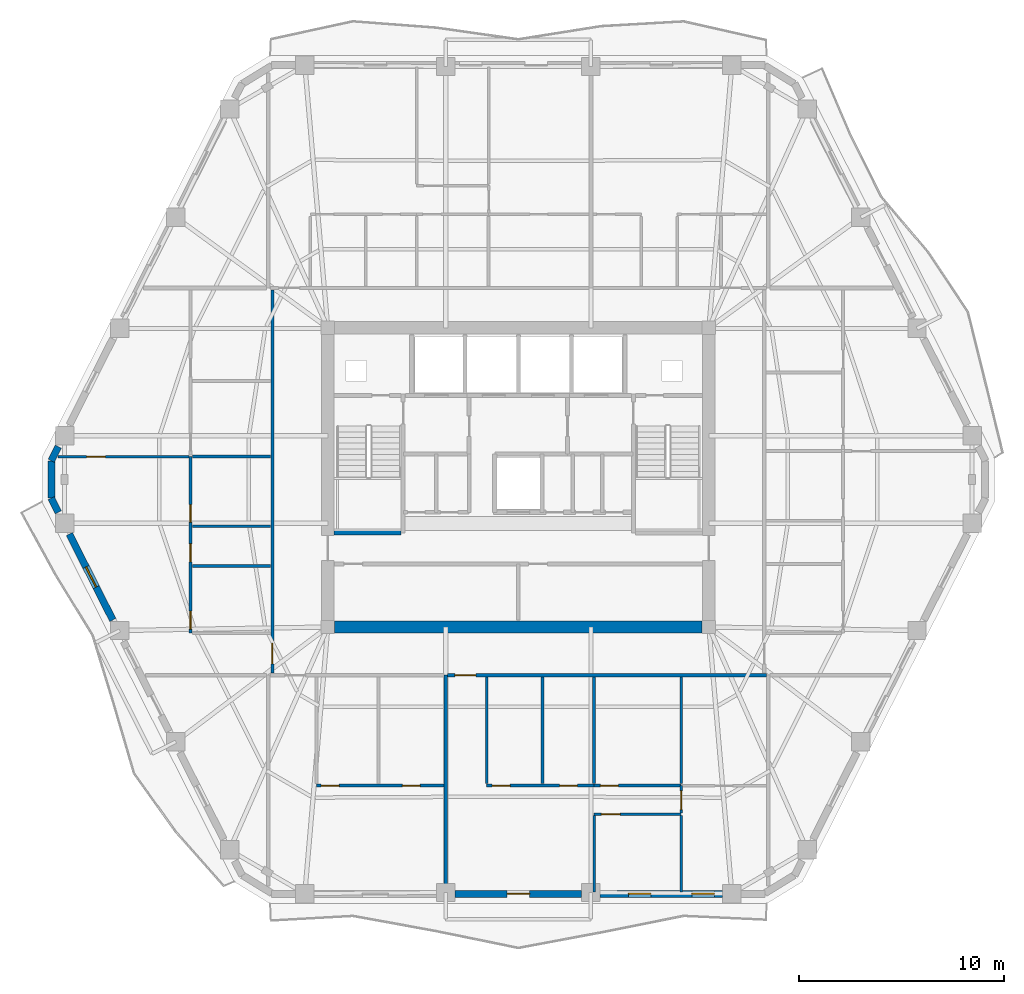
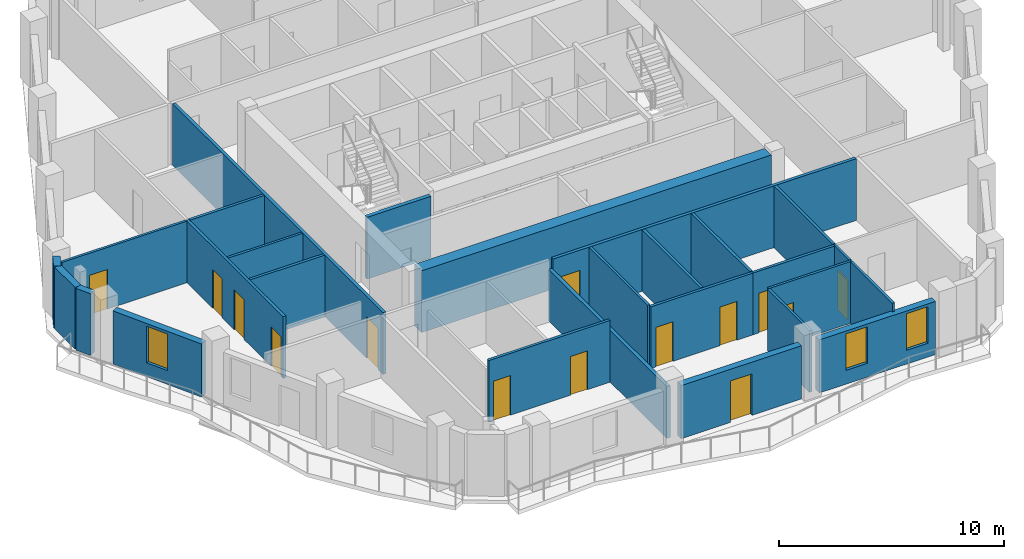
# One storey, part 4 of 11: 27 walls, 14 doors, 3 windows, 17 openings.
"""IFC4 building model written with IfcOpenShell, lengths in metres."""

from ifc_helpers import new_model, si_unit, direction, frame, frame_2d, origin, place, context, subcontext, project, spatial, rectangle, extrude, material, layer, layer_set, type_object, element, fill, save


model = new_model("IFC4")

# Units and contexts
model_context = context("Model", 3, precision=1e-05, world=origin(), true_north=direction((0.0, 1.0)))
body_context = subcontext(model_context, "Body", "Model", "MODEL_VIEW")
ifc_project = project(units=[si_unit("LENGTHUNIT", "METRE"), si_unit("AREAUNIT", "SQUARE_METRE"), si_unit("VOLUMEUNIT", "CUBIC_METRE"), si_unit("PLANEANGLEUNIT", "RADIAN"), si_unit("MASSUNIT", "GRAM", prefix="KILO")], contexts=[model_context])

# Site, building, storey
site_placement = place(None, origin())
site = spatial("IfcSite", under=ifc_project, at=site_placement, CompositionType="ELEMENT")
building_placement = place(site_placement, origin())
building = spatial("IfcBuilding", under=site, at=building_placement, Name="Cinnabar Lancet Tower", CompositionType="ELEMENT")
storey_placement = place(building_placement, frame((0.0, 0.0, 179.0)))
storey = spatial("IfcBuildingStorey", under=building, at=storey_placement, Name="L47", CompositionType="ELEMENT", Elevation=179.0)

# Wall, opening, door
ifc_material_1 = material(Name="Acoustic twin-stud gypsum partition", Category="gypsum")
ifc_layer_1 = layer(ifc_material_1, 0.159912109375)
ifc_layer_set_1 = layer_set([ifc_layer_1], Name="Acoustic twin-stud gypsum partition")
wall_type_1 = type_object("IfcWallType", Name="ARC-WL-CORR-160", PredefinedType="PARTITIONING", material=ifc_layer_set_1)
wall_1_placement = place(storey_placement, frame((28.951904296875, 16.25, 0.0), z_axis=(0.0, 0.0, 1.0), x_axis=(1.0, 0.0, 0.0)))
wall_1 = element("IfcWall", 1, at=wall_1_placement, inside=storey, type_object=wall_type_1, Name="L47 Unit S02 Corridor Wall", PredefinedType="PARTITIONING", context=body_context, shape_type="SweptSolid", body=[
    extrude(rectangle(XDim=15.552978515625, YDim=0.159912109375, at=frame_2d((7.7763671875, 0.0))), origin(), (0.0, 0.0, 1.0), 3.35009765625),
])
opening_1_placement = place(wall_1_placement, frame((0.35498046875, 0.0, 0.0)))
opening_1 = element("IfcOpeningElement", 2, at=opening_1_placement, cuts=wall_1, Name="Opening UD-01", PredefinedType="OPENING", context=body_context, shape_type="SweptSolid", body=[
    extrude(rectangle(XDim=1.02001953125, YDim=2.25, at=frame_2d((0.510009765625, 1.125))), frame((0.0, 0.08984375, 0.0), z_axis=(0.0, -1.0, 0.0), x_axis=(1.0, 0.0, 0.0)), (0.0, 0.0, 1.0), 0.179931640625),
])
ifc_material_2 = material(Name="Solid timber fire-rated apartment entrance door", Category="wood")
door_type_1 = type_object("IfcDoorType", Name="ARC-DR-UNIT", OperationType="NOTDEFINED", PredefinedType="DOOR", material=ifc_material_2)
door_1_placement = place(opening_1_placement, origin())
door_1 = element("IfcDoor", 3, at=door_1_placement, inside=storey, type_object=door_type_1, Name="DR-L47-S02-ENT", OperationType="SINGLE_SWING_LEFT", OverallHeight=2.25, OverallWidth=1.02001953125, PredefinedType="DOOR", context=body_context, shape_type="SweptSolid", body=[
    extrude(rectangle(XDim=1.02001953125, YDim=2.25, at=frame_2d((0.510009765625, 1.125))), frame((0.0, 0.02490234375, 0.0), z_axis=(0.0, -1.0, 0.0), x_axis=(1.0, 0.0, 0.0)), (0.0, 0.0, 1.0), 0.050048828125),
])
fill(opening_1, door_1)

wall_2_placement = place(storey_placement, frame((20.39990234375, 16.344970703125, 0.0), z_axis=(0.0, 0.0, 1.0), x_axis=(0.0, 1.0, 0.0)))
wall_2 = element("IfcWall", 4, at=wall_2_placement, inside=storey, type_object=wall_type_1, Name="UW-L47-W01-COR", PredefinedType="PARTITIONING", context=body_context, shape_type="SweptSolid", body=[
    extrude(rectangle(XDim=18.7099609375, YDim=0.159912109375, at=frame_2d((9.35498046875, 0.0))), origin(), (0.0, 0.0, 1.0), 3.35009765625),
])
opening_2_placement = place(wall_2_placement, frame((0.449951171875, 0.0, 0.0)))
opening_2 = element("IfcOpeningElement", 5, at=opening_2_placement, cuts=wall_2, Name="Opening UD-01", PredefinedType="OPENING", context=body_context, shape_type="SweptSolid", body=[
    extrude(rectangle(XDim=1.02001953125, YDim=2.25, at=frame_2d((0.510009765625, 1.125))), frame((0.0, 0.08984375, 0.0), z_axis=(0.0, -1.0, 0.0), x_axis=(1.0, 0.0, 0.0)), (0.0, 0.0, 1.0), 0.179931640625),
])
door_2_placement = place(opening_2_placement, origin())
door_2 = element("IfcDoor", 6, at=door_2_placement, inside=storey, type_object=door_type_1, Name="DR-L47-W01-ENT", OperationType="SINGLE_SWING_RIGHT", OverallHeight=2.25, OverallWidth=1.02001953125, PredefinedType="DOOR", context=body_context, shape_type="SweptSolid", body=[
    extrude(rectangle(XDim=1.02001953125, YDim=2.25, at=frame_2d((0.510009765625, 1.125))), frame((0.0, 0.02490234375, 0.0), z_axis=(0.0, -1.0, 0.0), x_axis=(1.0, 0.0, 0.0)), (0.0, 0.0, 1.0), 0.050048828125),
])
fill(opening_2, door_2)

# Walls
ifc_material_3 = material(Name="Fire-rated twin-frame acoustic drywall", Category="gypsum")
ifc_layer_2 = layer(ifc_material_3, 0.179931640625)
ifc_layer_set_2 = layer_set([ifc_layer_2], Name="Fire-rated twin-frame acoustic drywall")
wall_type_2 = type_object("IfcWallType", Name="ARC-WL-PARTY-180", PredefinedType="PARTITIONING", material=ifc_layer_set_2)
wall_3_placement = place(storey_placement, frame((28.85693359375, 5.7548828125, 0.0), z_axis=(0.0, 0.0, 1.0), x_axis=(0.0, 1.0, 0.0)))
element("IfcWall", 7, at=wall_3_placement, inside=storey, type_object=wall_type_2, Name="PW-L47-SPTY-289", PredefinedType="PARTITIONING", context=body_context, shape_type="SweptSolid", body=[
    extrude(rectangle(XDim=10.4951171875, YDim=0.179931640625, at=frame_2d((5.24755859375, 0.0))), origin(), (0.0, 0.0, 1.0), 2.806884765625),
])
ifc_material_4 = material(Name="Autoclaved aerated concrete blockwork", Category="masonry")
ifc_layer_3 = layer(ifc_material_4, 0.199951171875)
ifc_layer_set_3 = layer_set([ifc_layer_3], Name="Autoclaved aerated concrete blockwork")
wall_type_3 = type_object("IfcWallType", Name="ARC-WL-SHAFT-200", PredefinedType="PLUMBINGWALL", material=ifc_layer_set_3)
wall_4_placement = place(storey_placement, frame((23.405029296875, 23.199951171875, 0.0), z_axis=(0.0, 0.0, 1.0), x_axis=(1.0, 0.0, 0.0)))
element("IfcWall", 8, at=wall_4_placement, inside=storey, type_object=wall_type_3, Name="CW-ST1S-L47", PredefinedType="PLUMBINGWALL", context=body_context, shape_type="SweptSolid", body=[
    extrude(rectangle(XDim=3.27001953125, YDim=0.199951171875, at=frame_2d((1.635009765625, 0.0))), origin(), (0.0, 0.0, 1.0), 3.35009765625),
])
ifc_material_5 = material(Name="Gypsum plasterboard stud partition", Category="gypsum")
ifc_layer_4 = layer(ifc_material_5, 0.125)
ifc_layer_set_4 = layer_set([ifc_layer_4], Name="Gypsum plasterboard stud partition")
wall_type_4 = type_object("IfcWallType", Name="ARC-WL-UNIT-125", PredefinedType="PARTITIONING", material=ifc_layer_set_4)
wall_5_placement = place(storey_placement, frame((30.85693359375, 10.9609375, 0.0), z_axis=(0.0, 0.0, 1.0), x_axis=(0.0, 1.0, 0.0)))
element("IfcWall", 9, at=wall_5_placement, inside=storey, type_object=wall_type_4, Name="UW-L47-S02-FOYE", PredefinedType="PARTITIONING", context=body_context, shape_type="SweptSolid", body=[
    extrude(rectangle(XDim=5.2041015625, YDim=0.125, at=frame_2d((2.60205078125, 0.0))), origin(), (0.0, 0.0, 1.0), 3.35009765625),
])
wall_6_placement = place(storey_placement, frame((36.09912109375, 5.6650390625, 0.0), z_axis=(0.0, 0.0, 1.0), x_axis=(0.0, 1.0, 0.0)))
element("IfcWall", 10, at=wall_6_placement, inside=storey, type_object=wall_type_4, Name="UW-L47-S02-BD2W", PredefinedType="PARTITIONING", context=body_context, shape_type="SweptSolid", body=[
    extrude(rectangle(XDim=3.72607421875, YDim=0.125, at=frame_2d((1.863037109375, 0.0))), origin(), (0.0, 0.0, 1.0), 3.35009765625),
])

# Wall, opening, door
wall_7_placement = place(storey_placement, frame((36.09912109375, 9.4560546875, 0.0), z_axis=(0.0, 0.0, 1.0), x_axis=(1.0, 0.0, 0.0)))
wall_7 = element("IfcWall", 11, at=wall_7_placement, inside=storey, type_object=wall_type_4, Name="UW-L47-S02-HLN", PredefinedType="PARTITIONING", context=body_context, shape_type="SweptSolid", body=[
    extrude(rectangle(XDim=4.25, YDim=0.125, at=frame_2d((2.125, 0.0))), origin(), (0.0, 0.0, 1.0), 3.35009765625),
])
opening_3_placement = place(wall_7_placement, frame((0.35009765625, 0.0, 0.0)))
opening_3 = element("IfcOpeningElement", 12, at=opening_3_placement, cuts=wall_7, Name="Opening RD-01", PredefinedType="OPENING", context=body_context, shape_type="SweptSolid", body=[
    extrude(rectangle(XDim=0.919921875, YDim=2.14990234375, at=frame_2d((0.4599609375, 1.074951171875))), frame((0.0, 0.072509765625, 0.0), z_axis=(0.0, -1.0, 0.0), x_axis=(1.0, 0.0, 0.0)), (0.0, 0.0, 1.0), 0.14501953125),
])
ifc_material_6 = material(Name="Engineered timber bedroom door", Category="wood")
door_type_2 = type_object("IfcDoorType", Name="ARC-DR-ROOM", OperationType="NOTDEFINED", PredefinedType="DOOR", material=ifc_material_6)
door_3_placement = place(opening_3_placement, origin())
door_3 = element("IfcDoor", 13, at=door_3_placement, inside=storey, type_object=door_type_2, Name="DR-L47-S02-BD2", OperationType="SINGLE_SWING_RIGHT", OverallHeight=2.14990234375, OverallWidth=0.919921875, PredefinedType="DOOR", context=body_context, shape_type="SweptSolid", body=[
    extrude(rectangle(XDim=0.919921875, YDim=2.14990234375, at=frame_2d((0.4599609375, 1.074951171875))), frame((0.0, 0.02490234375, 0.0), z_axis=(0.0, -1.0, 0.0), x_axis=(1.0, 0.0, 0.0)), (0.0, 0.0, 1.0), 0.050048828125),
])
fill(opening_3, door_3)

wall_8_placement = place(storey_placement, frame((40.34912109375, 9.52587890625, 0.0), z_axis=(0.0, 0.0, 1.0), x_axis=(0.0, 1.0, 0.0)))
wall_8 = element("IfcWall", 14, at=wall_8_placement, inside=storey, type_object=wall_type_4, Name="UW-L47-S02-MBE", PredefinedType="PARTITIONING", context=body_context, shape_type="SweptSolid", body=[
    extrude(rectangle(XDim=1.330078125, YDim=0.125, at=frame_2d((0.6650390625, 0.0))), origin(), (0.0, 0.0, 1.0), 3.35009765625),
])
opening_4_placement = place(wall_8_placement, frame((0.159912109375, 0.0, 0.0)))
opening_4 = element("IfcOpeningElement", 15, at=opening_4_placement, cuts=wall_8, Name="Opening RD-01", PredefinedType="OPENING", context=body_context, shape_type="SweptSolid", body=[
    extrude(rectangle(XDim=0.919921875, YDim=2.14990234375, at=frame_2d((0.4599609375, 1.074951171875))), frame((0.0, 0.072509765625, 0.0), z_axis=(0.0, -1.0, 0.0), x_axis=(1.0, 0.0, 0.0)), (0.0, 0.0, 1.0), 0.14501953125),
])
door_4_placement = place(opening_4_placement, origin())
door_4 = element("IfcDoor", 16, at=door_4_placement, inside=storey, type_object=door_type_2, Name="DR-L47-S02-MBD", OperationType="SINGLE_SWING_RIGHT", OverallHeight=2.14990234375, OverallWidth=0.919921875, PredefinedType="DOOR", context=body_context, shape_type="SweptSolid", body=[
    extrude(rectangle(XDim=0.919921875, YDim=2.14990234375, at=frame_2d((0.4599609375, 1.074951171875))), frame((0.0, 0.02490234375, 0.0), z_axis=(0.0, -1.0, 0.0), x_axis=(1.0, 0.0, 0.0)), (0.0, 0.0, 1.0), 0.050048828125),
])
fill(opening_4, door_4)

# Wall
wall_9_placement = place(storey_placement, frame((40.34912109375, 5.6650390625, 0.0), z_axis=(0.0, 0.0, 1.0), x_axis=(0.0, 1.0, 0.0)))
element("IfcWall", 17, at=wall_9_placement, inside=storey, type_object=wall_type_4, Name="UW-L47-S02-MB2W", PredefinedType="PARTITIONING", context=body_context, shape_type="SweptSolid", body=[
    extrude(rectangle(XDim=3.72607421875, YDim=0.125, at=frame_2d((1.863037109375, 0.0))), origin(), (0.0, 0.0, 1.0), 3.35009765625),
])

# Wall, opening, door
wall_10_placement = place(storey_placement, frame((9.928955078125, 26.9169921875, 0.0), z_axis=(0.0, 0.0, 1.0), x_axis=(1.0, 0.0, 0.0)))
wall_10 = element("IfcWall", 18, at=wall_10_placement, inside=storey, type_object=wall_type_4, Name="UW-L47-W01-MBN", PredefinedType="PARTITIONING", context=body_context, shape_type="SweptSolid", body=[
    extrude(rectangle(XDim=6.39599609375, YDim=0.125, at=frame_2d((3.197998046875, 0.0))), origin(), (0.0, 0.0, 1.0), 3.35009765625),
])
opening_5_placement = place(wall_10_placement, frame((1.39990234375, 0.0, 0.0)))
opening_5 = element("IfcOpeningElement", 19, at=opening_5_placement, cuts=wall_10, Name="Opening RD-01", PredefinedType="OPENING", context=body_context, shape_type="SweptSolid", body=[
    extrude(rectangle(XDim=0.919921875, YDim=2.14990234375, at=frame_2d((0.4599609375, 1.074951171875))), frame((0.0, 0.072509765625, 0.0), z_axis=(0.0, -1.0, 0.0), x_axis=(1.0, 0.0, 0.0)), (0.0, 0.0, 1.0), 0.14501953125),
])
door_5_placement = place(opening_5_placement, origin())
door_5 = element("IfcDoor", 20, at=door_5_placement, inside=storey, type_object=door_type_2, Name="DR-L47-W01-MBD", OperationType="SINGLE_SWING_RIGHT", OverallHeight=2.14990234375, OverallWidth=0.919921875, PredefinedType="DOOR", context=body_context, shape_type="SweptSolid", body=[
    extrude(rectangle(XDim=0.919921875, YDim=2.14990234375, at=frame_2d((0.4599609375, 1.074951171875))), frame((0.0, 0.02490234375, 0.0), z_axis=(0.0, -1.0, 0.0), x_axis=(1.0, 0.0, 0.0)), (0.0, 0.0, 1.0), 0.050048828125),
])
fill(opening_5, door_5)

# Wall
wall_11_placement = place(storey_placement, frame((16.485107421875, 23.51708984375, 0.0), z_axis=(0.0, 0.0, 1.0), x_axis=(1.0, 0.0, 0.0)))
element("IfcWall", 21, at=wall_11_placement, inside=storey, type_object=wall_type_4, Name="UW-L47-W01-UDV", PredefinedType="PARTITIONING", context=body_context, shape_type="SweptSolid", body=[
    extrude(rectangle(XDim=3.829833984375, YDim=0.125, at=frame_2d((1.9150390625, 0.0))), origin(), (0.0, 0.0, 1.0), 3.35009765625),
])

# Wall, openings, doors
ifc_material_7 = material(Name="Moisture-resistant cement-board plumbing wall", Category="masonry")
ifc_layer_5 = layer(ifc_material_7, 0.139892578125)
ifc_layer_set_5 = layer_set([ifc_layer_5], Name="Moisture-resistant cement-board plumbing wall")
wall_type_5 = type_object("IfcWallType", Name="ARC-WL-WET-140", PredefinedType="PLUMBINGWALL", material=ifc_layer_set_5)
wall_12_placement = place(storey_placement, frame((22.550048828125, 10.85595703125, 0.0), z_axis=(0.0, 0.0, 1.0), x_axis=(1.0, 0.0, 0.0)))
wall_12 = element("IfcWall", 22, at=wall_12_placement, inside=storey, type_object=wall_type_5, Name="UW-L47-S01-SPL", PredefinedType="PLUMBINGWALL", context=body_context, shape_type="SweptSolid", body=[
    extrude(rectangle(XDim=6.2119140625, YDim=0.139892578125, at=frame_2d((3.10595703125, 0.0))), origin(), (0.0, 0.0, 1.0), 3.35009765625),
])
opening_6_placement = place(wall_12_placement, frame((4.195068359375, 0.0, 0.0)))
opening_6 = element("IfcOpeningElement", 23, at=opening_6_placement, cuts=wall_12, Name="Opening BD-01", PredefinedType="OPENING", context=body_context, shape_type="SweptSolid", body=[
    extrude(rectangle(XDim=0.860107421875, YDim=2.10009765625, at=frame_2d((0.43017578125, 1.050048828125))), frame((0.0, 0.079833984375, 0.0), z_axis=(0.0, -1.0, 0.0), x_axis=(1.0, 0.0, 0.0)), (0.0, 0.0, 1.0), 0.159912109375),
])
opening_7_placement = place(wall_12_placement, frame((0.219970703125, 0.0, 0.0)))
opening_7 = element("IfcOpeningElement", 24, at=opening_7_placement, cuts=wall_12, Name="Opening RD-02", PredefinedType="OPENING", context=body_context, shape_type="SweptSolid", body=[
    extrude(rectangle(XDim=0.8798828125, YDim=2.14990234375, at=frame_2d((0.43994140625, 1.074951171875))), frame((0.0, 0.079833984375, 0.0), z_axis=(0.0, -1.0, 0.0), x_axis=(1.0, 0.0, 0.0)), (0.0, 0.0, 1.0), 0.159912109375),
])
ifc_material_8 = material(Name="Moisture-resistant timber bathroom door", Category="wood")
door_type_3 = type_object("IfcDoorType", Name="ARC-DR-BATH", OperationType="NOTDEFINED", PredefinedType="DOOR", material=ifc_material_8)
door_6_placement = place(opening_6_placement, origin())
door_6 = element("IfcDoor", 25, at=door_6_placement, inside=storey, type_object=door_type_3, Name="DR-L47-S01-BTH", OperationType="SINGLE_SWING_RIGHT", OverallHeight=2.10009765625, OverallWidth=0.860107421875, PredefinedType="DOOR", context=body_context, shape_type="SweptSolid", body=[
    extrude(rectangle(XDim=0.860107421875, YDim=2.10009765625, at=frame_2d((0.43017578125, 1.050048828125))), frame((0.0, 0.02490234375, 0.0), z_axis=(0.0, -1.0, 0.0), x_axis=(1.0, 0.0, 0.0)), (0.0, 0.0, 1.0), 0.050048828125),
])
fill(opening_6, door_6)
ifc_material_9 = material(Name="Engineered timber study door", Category="wood")
door_type_4 = type_object("IfcDoorType", Name="ARC-DR-STUDY", OperationType="NOTDEFINED", PredefinedType="DOOR", material=ifc_material_9)
door_7_placement = place(opening_7_placement, origin())
door_7 = element("IfcDoor", 26, at=door_7_placement, inside=storey, type_object=door_type_4, Name="DR-L47-S01-KIT", OperationType="SINGLE_SWING_LEFT", OverallHeight=2.14990234375, OverallWidth=0.8798828125, PredefinedType="DOOR", context=body_context, shape_type="SweptSolid", body=[
    extrude(rectangle(XDim=0.8798828125, YDim=2.14990234375, at=frame_2d((0.43994140625, 1.074951171875))), frame((0.0, 0.02490234375, 0.0), z_axis=(0.0, -1.0, 0.0), x_axis=(1.0, 0.0, 0.0)), (0.0, 0.0, 1.0), 0.050048828125),
])
fill(opening_7, door_7)

wall_13_placement = place(storey_placement, frame((30.85693359375, 10.85595703125, 0.0), z_axis=(0.0, 0.0, 1.0), x_axis=(1.0, 0.0, 0.0)))
wall_13 = element("IfcWall", 27, at=wall_13_placement, inside=storey, type_object=wall_type_5, Name="UW-L47-S02-SPL", PredefinedType="PLUMBINGWALL", context=body_context, shape_type="SweptSolid", body=[
    extrude(rectangle(XDim=5.2421875, YDim=0.139892578125, at=frame_2d((2.62109375, 0.0))), origin(), (0.0, 0.0, 1.0), 3.35009765625),
])
opening_8_placement = place(wall_13_placement, frame((3.55908203125, 0.0, 0.0)))
opening_8 = element("IfcOpeningElement", 28, at=opening_8_placement, cuts=wall_13, Name="Opening BD-01", PredefinedType="OPENING", context=body_context, shape_type="SweptSolid", body=[
    extrude(rectangle(XDim=0.860107421875, YDim=2.10009765625, at=frame_2d((0.43017578125, 1.050048828125))), frame((0.0, 0.079833984375, 0.0), z_axis=(0.0, -1.0, 0.0), x_axis=(1.0, 0.0, 0.0)), (0.0, 0.0, 1.0), 0.159912109375),
])
opening_9_placement = place(wall_13_placement, frame((0.260009765625, 0.0, 0.0)))
opening_9 = element("IfcOpeningElement", 29, at=opening_9_placement, cuts=wall_13, Name="Opening RD-02", PredefinedType="OPENING", context=body_context, shape_type="SweptSolid", body=[
    extrude(rectangle(XDim=0.8798828125, YDim=2.14990234375, at=frame_2d((0.43994140625, 1.074951171875))), frame((0.0, 0.079833984375, 0.0), z_axis=(0.0, -1.0, 0.0), x_axis=(1.0, 0.0, 0.0)), (0.0, 0.0, 1.0), 0.159912109375),
])
door_8_placement = place(opening_8_placement, origin())
door_8 = element("IfcDoor", 30, at=door_8_placement, inside=storey, type_object=door_type_3, Name="DR-L47-S02-BTH", OperationType="SINGLE_SWING_LEFT", OverallHeight=2.10009765625, OverallWidth=0.860107421875, PredefinedType="DOOR", context=body_context, shape_type="SweptSolid", body=[
    extrude(rectangle(XDim=0.860107421875, YDim=2.10009765625, at=frame_2d((0.43017578125, 1.050048828125))), frame((0.0, 0.02490234375, 0.0), z_axis=(0.0, -1.0, 0.0), x_axis=(1.0, 0.0, 0.0)), (0.0, 0.0, 1.0), 0.050048828125),
])
fill(opening_8, door_8)
door_9_placement = place(opening_9_placement, origin())
door_9 = element("IfcDoor", 31, at=door_9_placement, inside=storey, type_object=door_type_4, Name="DR-L47-S02-KIT", OperationType="SINGLE_SWING_RIGHT", OverallHeight=2.14990234375, OverallWidth=0.8798828125, PredefinedType="DOOR", context=body_context, shape_type="SweptSolid", body=[
    extrude(rectangle(XDim=0.8798828125, YDim=2.14990234375, at=frame_2d((0.43994140625, 1.074951171875))), frame((0.0, 0.02490234375, 0.0), z_axis=(0.0, -1.0, 0.0), x_axis=(1.0, 0.0, 0.0)), (0.0, 0.0, 1.0), 0.050048828125),
])
fill(opening_9, door_9)

# Wall, opening, door
wall_14_placement = place(storey_placement, frame((36.09912109375, 10.85595703125, 0.0), z_axis=(0.0, 0.0, 1.0), x_axis=(1.0, 0.0, 0.0)))
wall_14 = element("IfcWall", 32, at=wall_14_placement, inside=storey, type_object=wall_type_5, Name="UW-L47-S02-SPM", PredefinedType="PLUMBINGWALL", context=body_context, shape_type="SweptSolid", body=[
    extrude(rectangle(XDim=4.25, YDim=0.139892578125, at=frame_2d((2.125, 0.0))), origin(), (0.0, 0.0, 1.0), 3.35009765625),
])
opening_10_placement = place(wall_14_placement, frame((0.300048828125, 0.0, 0.0)))
opening_10 = element("IfcOpeningElement", 33, at=opening_10_placement, cuts=wall_14, Name="Opening RD-02", PredefinedType="OPENING", context=body_context, shape_type="SweptSolid", body=[
    extrude(rectangle(XDim=0.8798828125, YDim=2.14990234375, at=frame_2d((0.43994140625, 1.074951171875))), frame((0.0, 0.079833984375, 0.0), z_axis=(0.0, -1.0, 0.0), x_axis=(1.0, 0.0, 0.0)), (0.0, 0.0, 1.0), 0.159912109375),
])
door_10_placement = place(opening_10_placement, origin())
door_10 = element("IfcDoor", 34, at=door_10_placement, inside=storey, type_object=door_type_4, Name="DR-L47-S02-UTL", OperationType="SINGLE_SWING_LEFT", OverallHeight=2.14990234375, OverallWidth=0.8798828125, PredefinedType="DOOR", context=body_context, shape_type="SweptSolid", body=[
    extrude(rectangle(XDim=0.8798828125, YDim=2.14990234375, at=frame_2d((0.43994140625, 1.074951171875))), frame((0.0, 0.02490234375, 0.0), z_axis=(0.0, -1.0, 0.0), x_axis=(1.0, 0.0, 0.0)), (0.0, 0.0, 1.0), 0.050048828125),
])
fill(opening_10, door_10)

# Walls
for number, where, z_axis, x_axis, name in (
    (35, (33.5830078125, 10.9609375, 0.0), (0.0, 0.0, 1.0), (0.0, 1.0, 0.0), "UW-L47-S02-KDV"),
    (36, (36.09912109375, 10.9609375, 0.0), (0.0, 0.0, 1.0), (0.0, 1.0, 0.0), "UW-L47-S02-ENSW"),
    (37, (40.34912109375, 10.9609375, 0.0), (0.0, 0.0, 1.0), (0.0, 1.0, 0.0), "UW-L47-S02-ENSE"),
):
    element("IfcWall", number, at=place(storey_placement, frame(where, z_axis=z_axis, x_axis=x_axis)), inside=storey, type_object=wall_type_5, Name=name, PredefinedType="PLUMBINGWALL", context=body_context, shape_type="SweptSolid", body=[
        extrude(rectangle(XDim=5.2041015625, YDim=0.139892578125, at=frame_2d((2.60205078125, 0.0))), origin(), (0.0, 0.0, 1.0), 3.35009765625),
    ])

# Wall, openings, doors
wall_15_placement = place(storey_placement, frame((16.39990234375, 18.300048828125, 0.0), z_axis=(0.0, 0.0, 1.0), x_axis=(0.0, 1.0, 0.0)))
wall_15 = element("IfcWall", 38, at=wall_15_placement, inside=storey, type_object=wall_type_5, Name="UW-L47-W01-SPL", PredefinedType="PLUMBINGWALL", context=body_context, shape_type="SweptSolid", body=[
    extrude(rectangle(XDim=8.616943359375, YDim=0.139892578125, at=frame_2d((4.30859375, 0.0))), origin(), (0.0, 0.0, 1.0), 3.35009765625),
])
opening_11_placement = place(wall_15_placement, frame((0.199951171875, 0.0, 0.0)))
opening_11 = element("IfcOpeningElement", 39, at=opening_11_placement, cuts=wall_15, Name="Opening RD-02", PredefinedType="OPENING", context=body_context, shape_type="SweptSolid", body=[
    extrude(rectangle(XDim=0.8798828125, YDim=2.14990234375, at=frame_2d((0.43994140625, 1.074951171875))), frame((0.0, 0.079833984375, 0.0), z_axis=(0.0, -1.0, 0.0), x_axis=(1.0, 0.0, 0.0)), (0.0, 0.0, 1.0), 0.159912109375),
])
opening_12_placement = place(wall_15_placement, frame((3.47412109375, 0.0, 0.0)))
opening_12 = element("IfcOpeningElement", 40, at=opening_12_placement, cuts=wall_15, Name="Opening RD-02", PredefinedType="OPENING", context=body_context, shape_type="SweptSolid", body=[
    extrude(rectangle(XDim=0.8798828125, YDim=2.14990234375, at=frame_2d((0.43994140625, 1.074951171875))), frame((0.0, 0.079833984375, 0.0), z_axis=(0.0, -1.0, 0.0), x_axis=(1.0, 0.0, 0.0)), (0.0, 0.0, 1.0), 0.159912109375),
])
opening_13_placement = place(wall_15_placement, frame((5.4169921875, 0.0, 0.0)))
opening_13 = element("IfcOpeningElement", 41, at=opening_13_placement, cuts=wall_15, Name="Opening BD-01", PredefinedType="OPENING", context=body_context, shape_type="SweptSolid", body=[
    extrude(rectangle(XDim=0.860107421875, YDim=2.10009765625, at=frame_2d((0.43017578125, 1.050048828125))), frame((0.0, 0.079833984375, 0.0), z_axis=(0.0, -1.0, 0.0), x_axis=(1.0, 0.0, 0.0)), (0.0, 0.0, 1.0), 0.159912109375),
])
door_11_placement = place(opening_13_placement, origin())
door_11 = element("IfcDoor", 42, at=door_11_placement, inside=storey, type_object=door_type_3, Name="DR-L47-W01-BTH", OperationType="SINGLE_SWING_LEFT", OverallHeight=2.10009765625, OverallWidth=0.860107421875, PredefinedType="DOOR", context=body_context, shape_type="SweptSolid", body=[
    extrude(rectangle(XDim=0.860107421875, YDim=2.10009765625, at=frame_2d((0.43017578125, 1.050048828125))), frame((0.0, 0.02490234375, 0.0), z_axis=(0.0, -1.0, 0.0), x_axis=(1.0, 0.0, 0.0)), (0.0, 0.0, 1.0), 0.050048828125),
])
fill(opening_13, door_11)
door_12_placement = place(opening_11_placement, origin())
door_12 = element("IfcDoor", 43, at=door_12_placement, inside=storey, type_object=door_type_4, Name="DR-L47-W01-KIT", OperationType="SINGLE_SWING_LEFT", OverallHeight=2.14990234375, OverallWidth=0.8798828125, PredefinedType="DOOR", context=body_context, shape_type="SweptSolid", body=[
    extrude(rectangle(XDim=0.8798828125, YDim=2.14990234375, at=frame_2d((0.43994140625, 1.074951171875))), frame((0.0, 0.02490234375, 0.0), z_axis=(0.0, -1.0, 0.0), x_axis=(1.0, 0.0, 0.0)), (0.0, 0.0, 1.0), 0.050048828125),
])
fill(opening_11, door_12)
door_13_placement = place(opening_12_placement, origin())
door_13 = element("IfcDoor", 44, at=door_13_placement, inside=storey, type_object=door_type_4, Name="DR-L47-W01-UTL", OperationType="SINGLE_SWING_RIGHT", OverallHeight=2.14990234375, OverallWidth=0.8798828125, PredefinedType="DOOR", context=body_context, shape_type="SweptSolid", body=[
    extrude(rectangle(XDim=0.8798828125, YDim=2.14990234375, at=frame_2d((0.43994140625, 1.074951171875))), frame((0.0, 0.02490234375, 0.0), z_axis=(0.0, -1.0, 0.0), x_axis=(1.0, 0.0, 0.0)), (0.0, 0.0, 1.0), 0.050048828125),
])
fill(opening_12, door_13)

# Walls
for number, where, z_axis, x_axis, name in (
    (45, (16.485107421875, 26.9169921875, 0.0), (0.0, 0.0, 1.0), (1.0, 0.0, 0.0), "UW-L47-W01-ENSN"),
    (46, (16.485107421875, 21.573974609375, 0.0), (0.0, 0.0, 1.0), (1.0, 0.0, 0.0), "UW-L47-W01-KDV"),
):
    element("IfcWall", number, at=place(storey_placement, frame(where, z_axis=z_axis, x_axis=x_axis)), inside=storey, type_object=wall_type_5, Name=name, PredefinedType="PLUMBINGWALL", context=body_context, shape_type="SweptSolid", body=[
        extrude(rectangle(XDim=3.829833984375, YDim=0.139892578125, at=frame_2d((1.9150390625, 0.0))), origin(), (0.0, 0.0, 1.0), 3.35009765625),
    ])
ifc_material_10 = material(Name="Cinnabar red clay brick", Category="masonry")
ifc_layer_6 = layer(ifc_material_10, 0.340087890625)
ifc_layer_set_6 = layer_set([ifc_layer_6], Name="Cinnabar red clay brick")
wall_type_6 = type_object("IfcWallType", Name="ENV-WL-BRK-RED-340", PredefinedType="STANDARD", material=ifc_layer_set_6)
wall_16_placement = place(storey_placement, frame((9.6220703125, 26.7080078125, 0.0), z_axis=(0.0, 0.0, 1.0), x_axis=(0.0, -1.0, 0.0)))
element("IfcWall", 47, at=wall_16_placement, inside=storey, type_object=wall_type_6, Name="L47 Chamfered Corner Brick Pier 6.1", PredefinedType="STANDARD", context=body_context, shape_type="SweptSolid", body=[
    extrude(rectangle(XDim=1.81591796875, YDim=0.340087890625, at=frame_2d((0.907958984375, 0.0))), origin(), (0.0, 0.0, 1.0), 3.35009765625),
])

# Wall, opening, door
wall_17_placement = place(storey_placement, frame((29.31103515625, 5.580078125, 0.0), z_axis=(0.0, 0.0, 1.0), x_axis=(1.0, 0.0, 0.0)))
wall_17 = element("IfcWall", 48, at=wall_17_placement, inside=storey, type_object=wall_type_6, Name="L47 Face 1 Masonry Bay Wall 3", PredefinedType="STANDARD", context=body_context, shape_type="SweptSolid", body=[
    extrude(rectangle(XDim=6.177978515625, YDim=0.340087890625, at=frame_2d((3.0888671875, 0.0))), origin(), (0.0, 0.0, 1.0), 2.883056640625),
])
opening_14_placement = place(wall_17_placement, frame((2.5390625, 0.0, 0.0)))
opening_14 = element("IfcOpeningElement", 49, at=opening_14_placement, cuts=wall_17, Name="Opening TD-01", PredefinedType="OPENING", context=body_context, shape_type="SweptSolid", body=[
    extrude(rectangle(XDim=1.10009765625, YDim=2.25, at=frame_2d((0.550048828125, 1.125))), frame((0.0, 0.179931640625, 0.0), z_axis=(0.0, -1.0, 0.0), x_axis=(1.0, 0.0, 0.0)), (0.0, 0.0, 1.0), 0.360107421875),
])
ifc_material_11 = material(Name="Thermally broken low-E glazed balcony terrace door", Category="wood")
door_type_5 = type_object("IfcDoorType", Name="ARC-DR-BALC", OperationType="NOTDEFINED", PredefinedType="DOOR", material=ifc_material_11)
door_14_placement = place(opening_14_placement, origin())
door_14 = element("IfcDoor", 50, at=door_14_placement, inside=storey, type_object=door_type_5, Name="L47 Face 1 Glazed Terrace Door", OperationType="SINGLE_SWING_RIGHT", OverallHeight=2.25, OverallWidth=1.10009765625, PredefinedType="DOOR", context=body_context, shape_type="SweptSolid", body=[
    extrude(rectangle(XDim=1.10009765625, YDim=2.25, at=frame_2d((0.550048828125, 1.125))), frame((0.0, 0.02490234375, 0.0), z_axis=(0.0, -1.0, 0.0), x_axis=(1.0, 0.0, 0.0)), (0.0, 0.0, 1.0), 0.050048828125),
])
fill(opening_14, door_14)

# Wall, openings, windows
wall_18_placement = place(storey_placement, frame((36.39697265625, 5.580078125, 0.0), z_axis=(0.0, 0.0, 1.0), x_axis=(1.0, 0.0, 0.0)))
wall_18 = element("IfcWall", 51, at=wall_18_placement, inside=storey, type_object=wall_type_6, Name="L47 Face 1 Masonry Bay Wall 4", PredefinedType="STANDARD", context=body_context, shape_type="SweptSolid", body=[
    extrude(rectangle(XDim=5.969970703125, YDim=0.340087890625, at=frame_2d((2.98486328125, 0.0))), origin(), (0.0, 0.0, 1.0), 2.883056640625),
])
opening_15_placement = place(wall_18_placement, frame((1.3701171875, 0.0, 0.75)))
opening_15 = element("IfcOpeningElement", 52, at=opening_15_placement, cuts=wall_18, Name="Opening WN-04", PredefinedType="OPENING", context=body_context, shape_type="SweptSolid", body=[
    extrude(rectangle(XDim=1.10009765625, YDim=1.98291015625, at=frame_2d((0.550048828125, 0.991455078125))), frame((0.0, 0.179931640625, 0.0), z_axis=(0.0, -1.0, 0.0), x_axis=(1.0, 0.0, 0.0)), (0.0, 0.0, 1.0), 0.360107421875),
])
opening_16_placement = place(wall_18_placement, frame((4.467041015625, 0.0, 0.75)))
opening_16 = element("IfcOpeningElement", 53, at=opening_16_placement, cuts=wall_18, Name="Opening WN-04", PredefinedType="OPENING", context=body_context, shape_type="SweptSolid", body=[
    extrude(rectangle(XDim=1.10009765625, YDim=1.98291015625, at=frame_2d((0.550048828125, 0.991455078125))), frame((0.0, 0.179931640625, 0.0), z_axis=(0.0, -1.0, 0.0), x_axis=(1.0, 0.0, 0.0)), (0.0, 0.0, 1.0), 0.360107421875),
])
ifc_material_12 = material(Name="Thermally broken bronze-anodized aluminium tall lancet window", Category="aluminium")
window_type = type_object("IfcWindowType", Name="ENV-WN-LANCET-1100", PartitioningType="SINGLE_PANEL", PredefinedType="WINDOW", material=ifc_material_12)
window_1_placement = place(opening_15_placement, origin())
window_1 = element("IfcWindow", 54, at=window_1_placement, inside=storey, type_object=window_type, Name="L47 Face 1 Gothic Lancet Window 4", OverallHeight=1.98291015625, OverallWidth=1.10009765625, PartitioningType="SINGLE_PANEL", PredefinedType="WINDOW", context=body_context, shape_type="SweptSolid", body=[
    extrude(rectangle(XDim=1.10009765625, YDim=1.98291015625, at=frame_2d((0.550048828125, 0.991455078125))), frame((0.0, 0.030029296875, 0.0), z_axis=(0.0, -1.0, 0.0), x_axis=(1.0, 0.0, 0.0)), (0.0, 0.0, 1.0), 0.06005859375),
])
fill(opening_15, window_1)
window_2_placement = place(opening_16_placement, origin())
window_2 = element("IfcWindow", 55, at=window_2_placement, inside=storey, type_object=window_type, Name="L47 Split-Bay Gothic Lancet Window 141", OverallHeight=1.98291015625, OverallWidth=1.10009765625, PartitioningType="SINGLE_PANEL", PredefinedType="WINDOW", context=body_context, shape_type="SweptSolid", body=[
    extrude(rectangle(XDim=1.10009765625, YDim=1.98291015625, at=frame_2d((0.550048828125, 0.991455078125))), frame((0.0, 0.030029296875, 0.0), z_axis=(0.0, -1.0, 0.0), x_axis=(1.0, 0.0, 0.0)), (0.0, 0.0, 1.0), 0.06005859375),
])
fill(opening_16, window_2)

# Walls
for number, where, z_axis, x_axis, name in (
    (56, (9.948974609375, 27.403076171875, 0.0), (0.0, 0.0, 1.0), (-0.451262448184, -0.892391283496, 0.0), "L47 Face 5 Masonry Bay Wall 5"),
    (57, (9.60107421875, 24.885009765625, 0.0), (0.0, 0.0, 1.0), (0.451262448184, -0.892391283496, 0.0), "L47 Face 6 Masonry Bay Wall 1"),
):
    element("IfcWall", number, at=place(storey_placement, frame(where, z_axis=z_axis, x_axis=x_axis)), inside=storey, type_object=wall_type_6, Name=name, PredefinedType="STANDARD", context=body_context, shape_type="SweptSolid", body=[
        extrude(rectangle(XDim=0.77099609375, YDim=0.340087890625, at=frame_2d((0.385498046875, 0.0))), origin(), (0.0, 0.0, 1.0), 3.35009765625),
    ])

# Wall, opening, window
wall_19_placement = place(storey_placement, frame((10.485107421875, 23.136962890625, 0.0), z_axis=(0.0, 0.0, 1.0), x_axis=(0.451447222193, -0.892297823361, 0.0)))
wall_19 = element("IfcWall", 58, at=wall_19_placement, inside=storey, type_object=wall_type_6, Name="L47 Face 6 Masonry Bay Wall 2", PredefinedType="STANDARD", context=body_context, shape_type="SweptSolid", body=[
    extrude(rectangle(XDim=4.699951171875, YDim=0.340087890625, at=frame_2d((2.35009765625, 0.0))), origin(), (0.0, 0.0, 1.0), 2.883056640625),
])
opening_17_placement = place(wall_19_placement, frame((1.800048828125, 0.0, 0.75)))
opening_17 = element("IfcOpeningElement", 59, at=opening_17_placement, cuts=wall_19, Name="Opening WN-04", PredefinedType="OPENING", context=body_context, shape_type="SweptSolid", body=[
    extrude(rectangle(XDim=1.10009765625, YDim=1.98291015625, at=frame_2d((0.550048828125, 0.991455078125))), frame((0.0, 0.179931640625, 0.0), z_axis=(0.0, -1.0, 0.0), x_axis=(1.0, 0.0, 0.0)), (0.0, 0.0, 1.0), 0.360107421875),
])
window_3_placement = place(opening_17_placement, origin())
window_3 = element("IfcWindow", 60, at=window_3_placement, inside=storey, type_object=window_type, Name="L47 Face 6 Gothic Lancet Window 2", OverallHeight=1.98291015625, OverallWidth=1.10009765625, PartitioningType="SINGLE_PANEL", PredefinedType="WINDOW", context=body_context, shape_type="SweptSolid", body=[
    extrude(rectangle(XDim=1.10009765625, YDim=1.98291015625, at=frame_2d((0.550048828125, 0.991455078125))), frame((0.0, 0.030029296875, 0.0), z_axis=(0.0, -1.0, 0.0), x_axis=(1.0, 0.0, 0.0)), (0.0, 0.0, 1.0), 0.06005859375),
])
fill(opening_17, window_3)

# Wall
ifc_material_13 = material(Name="Concrete C60/75", Category="concrete")
ifc_layer_7 = layer(ifc_material_13, 0.60009765625)
ifc_layer_set_7 = layer_set([ifc_layer_7], Name="Concrete C60/75")
wall_type_7 = type_object("IfcWallType", Name="STR-WL-CORE-600", PredefinedType="SHEAR", material=ifc_layer_set_7)
wall_20_placement = place(storey_placement, frame((23.425048828125, 18.60009765625, 0.0), z_axis=(0.0, 0.0, 1.0), x_axis=(1.0, 0.0, 0.0)))
element("IfcWall", 61, at=wall_20_placement, inside=storey, type_object=wall_type_7, Name="L47 Core Shear Wall S", PredefinedType="SHEAR", context=body_context, shape_type="SweptSolid", body=[
    extrude(rectangle(XDim=17.949951171875, YDim=0.60009765625, at=frame_2d((8.97509765625, 0.0))), origin(), (0.0, 0.0, 1.0), 3.35009765625),
])

save(model, "model.ifc")
